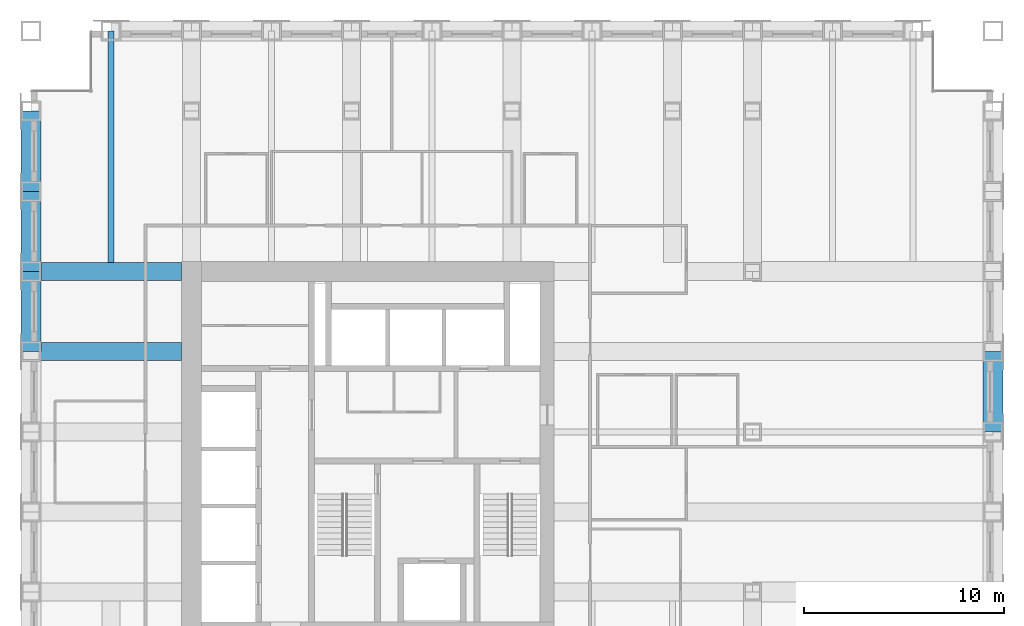
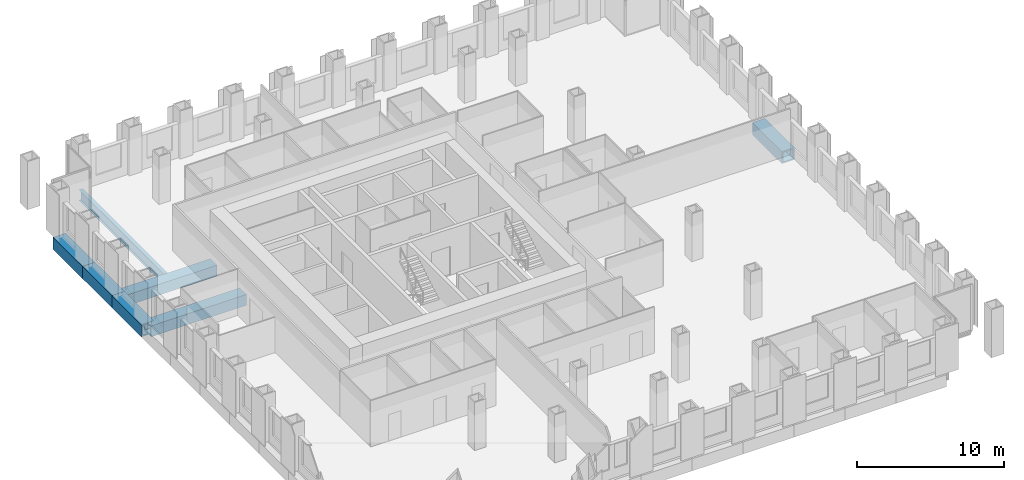
# One storey, part 5 of 16: 7 beams.
"""IFC4 building model written with IfcOpenShell, lengths in metres."""

from ifc_helpers import new_model, si_unit, direction, frame, origin, origin_2d, place, context, subcontext, project, spatial, hollow_rectangle, i_section, extrude, material, material_profile, profile_set, type_object, element, save


model = new_model("IFC4")

# Units and contexts
model_context = context("Model", 3, precision=1e-05, world=origin(), true_north=direction((0.0, 1.0)))
body_context = subcontext(model_context, "Body", "Model", "MODEL_VIEW")
ifc_project = project(units=[si_unit("LENGTHUNIT", "METRE"), si_unit("AREAUNIT", "SQUARE_METRE"), si_unit("VOLUMEUNIT", "CUBIC_METRE"), si_unit("PLANEANGLEUNIT", "RADIAN"), si_unit("MASSUNIT", "GRAM", prefix="KILO")], contexts=[model_context])

# Site, building, storey
site_placement = place(None, origin())
site = spatial("IfcSite", under=ifc_project, at=site_placement, CompositionType="ELEMENT")
building_placement = place(site_placement, origin())
building = spatial("IfcBuilding", under=site, at=building_placement, Name="Rimbunsela Tower", CompositionType="ELEMENT")
storey_placement = place(building_placement, frame((0.0, 0.0, 93.39990234375)))
storey = spatial("IfcBuildingStorey", under=building, at=storey_placement, Name="L22", CompositionType="ELEMENT", Elevation=93.39990234375)

# Beams
ifc_material_1 = material(Name="Steel BJ 55 (fy 410 MPa)", Category="steel")
ifc_material_profile_1 = material_profile(ifc_material_1, hollow_rectangle(XDim=1.0, YDim=1.0, WallThickness=0.10009765625, at=origin_2d()), Name="BOX 1000x1000x100")
ifc_profile_set_1 = profile_set([ifc_material_profile_1], Name="Steel BJ 55 (fy 410 MPa)")
beam_type_1 = type_object("IfcBeamType", Name="Beam BOX 1000x1000x100", PredefinedType="BEAM", material=ifc_profile_set_1)
for number, where, z_axis, x_axis, name in (
    (1, (10.0, 32.0, -0.64990234375), (0.0, 1.0, 0.0), (-1.0, 0.0, 0.0), "Beam B3 L22"),
    (2, (10.0, 36.0, -0.64990234375), (0.0, 1.0, 0.0), (-1.0, 0.0, 0.0), "Beam B3 L22"),
    (3, (10.0, 40.0, -0.64990234375), (0.0, 1.0, 0.0), (-1.0, 0.0, 0.0), "Beam B3 L22"),
    (4, (58.0, 28.0, -0.64990234375), (0.0, 1.0, 0.0), (-1.0, 0.0, 0.0), "Beam B3 L22"),
):
    element("IfcBeam", number, at=place(storey_placement, frame(where, z_axis=z_axis, x_axis=x_axis)), inside=storey, type_object=beam_type_1, Name=name, PredefinedType="BEAM", context=body_context, shape_type="SweptSolid", body=[
        extrude(hollow_rectangle(XDim=1.0, YDim=1.0, WallThickness=0.10009765625, at=origin_2d()), origin(), (0.0, 0.0, 1.0), 4.0),
    ])
ifc_material_2 = material(Name="Steel BJ 55 (fy 410 MPa)", Category="steel")
ifc_material_profile_2 = material_profile(ifc_material_2, hollow_rectangle(XDim=0.89990234375, YDim=0.89990234375, WallThickness=0.06005859375, at=origin_2d()), Name="BOX 900x900x60")
ifc_profile_set_2 = profile_set([ifc_material_profile_2], Name="Steel BJ 55 (fy 410 MPa)")
beam_type_2 = type_object("IfcBeamType", Name="Beam BOX 900x900x60", PredefinedType="BEAM", material=ifc_profile_set_2)
for number, where, z_axis, x_axis, name in (
    (5, (10.0, 32.0, -0.599853515625), (1.0, 0.0, 0.0), (0.0, 1.0, 0.0), "Beam B1 L22"),
    (6, (10.0, 36.0, -0.599853515625), (1.0, 0.0, 0.0), (0.0, 1.0, 0.0), "Beam B1 L22"),
):
    element("IfcBeam", number, at=place(storey_placement, frame(where, z_axis=z_axis, x_axis=x_axis)), inside=storey, type_object=beam_type_2, Name=name, PredefinedType="BEAM", context=body_context, shape_type="SweptSolid", body=[
        extrude(hollow_rectangle(XDim=0.89990234375, YDim=0.89990234375, WallThickness=0.06005859375, at=origin_2d()), origin(), (0.0, 0.0, 1.0), 7.5),
    ])
ifc_material_3 = material(Name="Steel BJ 55 (fy 410 MPa)", Category="steel")
ifc_material_profile_3 = material_profile(ifc_material_3, i_section(OverallWidth=0.300048828125, OverallDepth=0.89990234375, WebThickness=0.01611328125, FlangeThickness=0.028076171875, FilletRadius=0.028076171875, at=origin_2d()), Name="H 900x300x16x28")
ifc_profile_set_3 = profile_set([ifc_material_profile_3], Name="Steel BJ 55 (fy 410 MPa)")
beam_type_3 = type_object("IfcBeamType", Name="Beam H 900x300x16x28", PredefinedType="BEAM", material=ifc_profile_set_3)
beam_placement = place(storey_placement, frame((14.0, 36.449951171875, -0.599853515625), z_axis=(0.0, 1.0, 0.0), x_axis=(-1.0, 0.0, 0.0)))
element("IfcBeam", 7, at=beam_placement, inside=storey, type_object=beam_type_3, Name="Beam B2 L22", PredefinedType="BEAM", context=body_context, shape_type="SweptSolid", body=[
    extrude(i_section(OverallWidth=0.300048828125, OverallDepth=0.89990234375, WebThickness=0.01611328125, FlangeThickness=0.028076171875, FilletRadius=0.028076171875, at=origin_2d()), origin(), (0.0, 0.0, 1.0), 11.550048828125),
])

save(model, "model.ifc")
